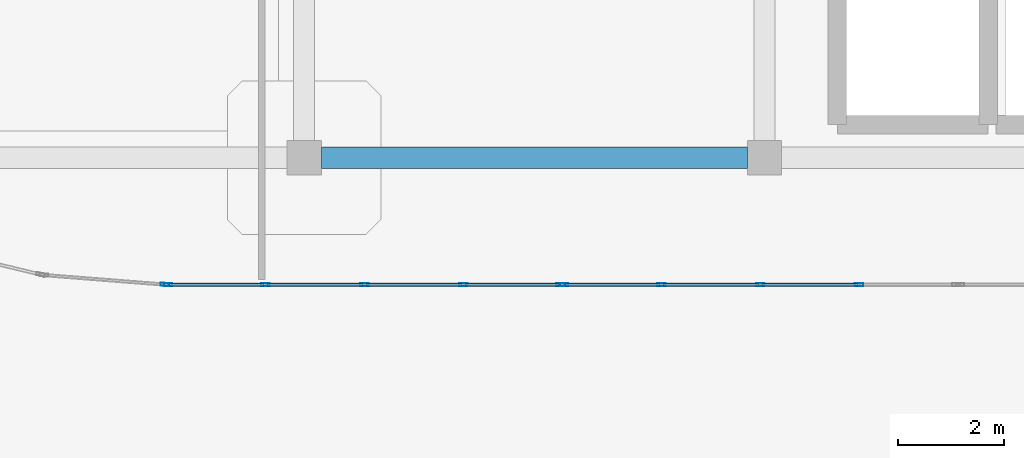
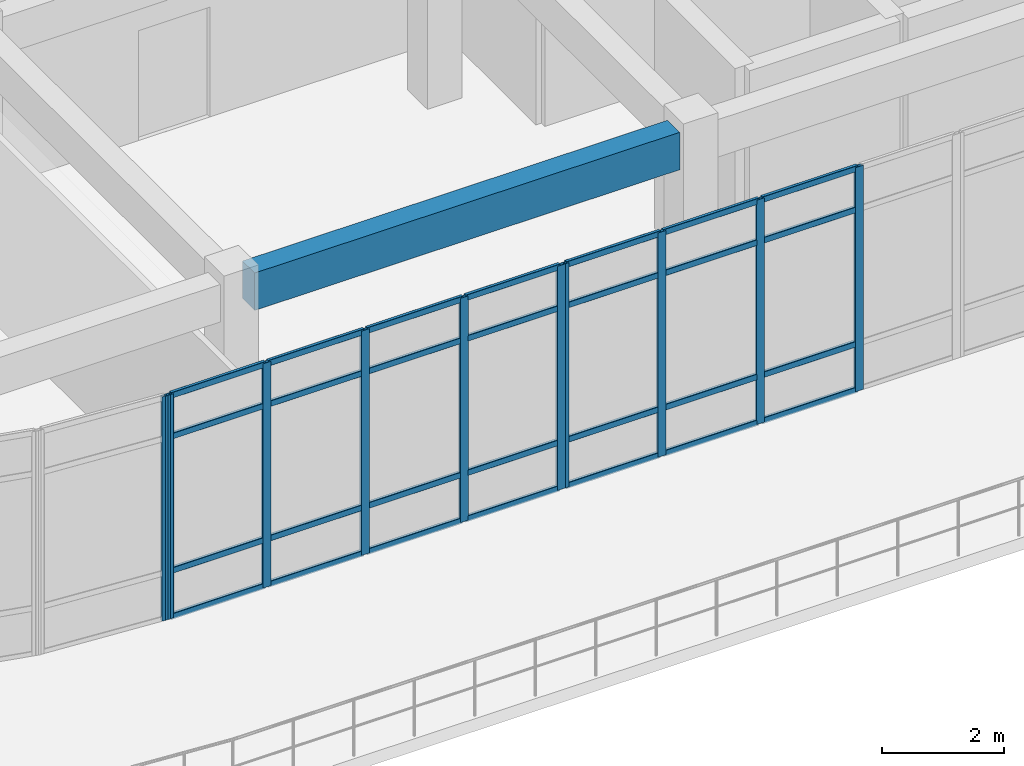
# One storey, part 12 of 41: 38 members, 1 beam, 3 elements without a shape of their own.
"""IFC4 building model written with IfcOpenShell, lengths in metres."""

from ifc_helpers import new_model, si_unit, derived_unit, direction, frame, origin, origin_2d, place, context, subcontext, project, spatial, rectangle, hollow_rectangle, extrude, material, layer, layer_set, material_profile, profile_set, type_object, element, aggregate, save


model = new_model("IFC4")

# Units and contexts
model_context = context("Model", 3, precision=1e-05, world=origin(), true_north=direction((0.0, 1.0)))
body_context = subcontext(model_context, "Body", "Model", "MODEL_VIEW")
ifc_project = project(units=[si_unit("LENGTHUNIT", "METRE"), si_unit("AREAUNIT", "SQUARE_METRE"), si_unit("VOLUMEUNIT", "CUBIC_METRE"), si_unit("PLANEANGLEUNIT", "RADIAN"), si_unit("MASSUNIT", "GRAM", prefix="KILO"), derived_unit("THERMALTRANSMITTANCEUNIT", [(si_unit("MASSUNIT", "GRAM", prefix="KILO"), 1), (si_unit("TIMEUNIT", "SECOND"), -3), (si_unit("THERMODYNAMICTEMPERATUREUNIT", "KELVIN"), -1)])], contexts=[model_context])

# Site, building, storey
site_placement = place(None, origin())
site = spatial("IfcSite", under=ifc_project, at=site_placement, CompositionType="ELEMENT")
building_placement = place(site_placement, origin())
building = spatial("IfcBuilding", under=site, at=building_placement, Name="Qinzheling Arcade Emporium", CompositionType="ELEMENT")
storey_placement = place(building_placement, frame((0.0, 0.0, 36.300048828125)))
storey = spatial("IfcBuildingStorey", under=building, at=storey_placement, Name="L08", CompositionType="ELEMENT", Elevation=36.300048828125)

# Curtain wall, members
ifc_material_1 = material(Name="Anodised aluminium and solar-control double glazing", Category="aluminium")
ifc_layer = layer(ifc_material_1, 0.159912109375, Name="Anodised aluminium and solar-control double glazing", Category="aluminium")
ifc_layer_set = layer_set([ifc_layer], Name="Anodised aluminium and solar-control double glazing")
curtain_wall_type = type_object("IfcCurtainWallType", Name="Arcade Portal Glazed Curtain Wall", PredefinedType="NOTDEFINED", material=ifc_layer_set)
curtain_wall_1_placement = place(storey_placement, origin())
curtain_wall_1 = element("IfcCurtainWall", 1, at=curtain_wall_1_placement, inside=storey, type_object=curtain_wall_type, Name="Curtain Wall CW-L08-451", PredefinedType="NOTDEFINED")
ifc_material_2 = material(Name="Anodised aluminium 6063-T6", Category="aluminium")
ifc_material_profile_1 = material_profile(ifc_material_2, hollow_rectangle(XDim=0.06005859375, YDim=0.159912109375, WallThickness=0.00390625, InnerFilletRadius=0.00390625, OuterFilletRadius=0.008056640625, at=origin_2d()), Name="RHS 160x60x4", Category="aluminium")
ifc_profile_set_1 = profile_set([ifc_material_profile_1], Name="Anodised aluminium 6063-T6")
member_type_1 = type_object("IfcMemberType", Name="Curtain Wall Mullion RHS160x60", PredefinedType="MULLION", material=ifc_profile_set_1)
member_1_placement = place(storey_placement, frame((45.2890625, 22.800048828125, 0.0), z_axis=(0.0, 0.0, 1.0), x_axis=(0.0, -1.0, 0.0)))
member_1 = element("IfcMember", 2, at=member_1_placement, type_object=member_type_1, Name="CW05 mullion 2", PredefinedType="MULLION", context=body_context, shape_type="SweptSolid", body=[
    extrude(hollow_rectangle(XDim=0.06005859375, YDim=0.159912109375, WallThickness=0.00390625, InnerFilletRadius=0.00390625, OuterFilletRadius=0.008056640625, at=origin_2d()), origin(), (0.0, 0.0, 1.0), 4.489990234375),
])
member_2_placement = place(storey_placement, frame((43.419921875, 22.800048828125, 0.0), z_axis=(0.0, 0.0, 1.0), x_axis=(0.0, -1.0, 0.0)))
member_2 = element("IfcMember", 3, at=member_2_placement, type_object=member_type_1, Name="CW05 mullion 3", PredefinedType="MULLION", context=body_context, shape_type="SweptSolid", body=[
    extrude(hollow_rectangle(XDim=0.06005859375, YDim=0.159912109375, WallThickness=0.00390625, InnerFilletRadius=0.00390625, OuterFilletRadius=0.008056640625, at=origin_2d()), origin(), (0.0, 0.0, 1.0), 4.489990234375),
])
member_3_placement = place(storey_placement, frame((41.551025390625, 22.800048828125, 0.0), z_axis=(0.0, 0.0, 1.0), x_axis=(0.0, -1.0, 0.0)))
member_3 = element("IfcMember", 4, at=member_3_placement, type_object=member_type_1, Name="CW05 mullion 4", PredefinedType="MULLION", context=body_context, shape_type="SweptSolid", body=[
    extrude(hollow_rectangle(XDim=0.06005859375, YDim=0.159912109375, WallThickness=0.00390625, InnerFilletRadius=0.00390625, OuterFilletRadius=0.008056640625, at=origin_2d()), origin(), (0.0, 0.0, 1.0), 4.489990234375),
])
member_4_placement = place(storey_placement, frame((39.7119140625, 22.800048828125, 0.0), z_axis=(0.0, 0.0, 1.0), x_axis=(0.0, -1.0, 0.0)))
member_4 = element("IfcMember", 5, at=member_4_placement, type_object=member_type_1, Name="CW05 mullion 5", PredefinedType="MULLION", context=body_context, shape_type="SweptSolid", body=[
    extrude(hollow_rectangle(XDim=0.06005859375, YDim=0.159912109375, WallThickness=0.00390625, InnerFilletRadius=0.00390625, OuterFilletRadius=0.008056640625, at=origin_2d()), origin(), (0.0, 0.0, 1.0), 4.489990234375),
])

curtain_wall_2_placement = place(storey_placement, origin())
curtain_wall_2 = element("IfcCurtainWall", 6, at=curtain_wall_2_placement, inside=storey, type_object=curtain_wall_type, Name="Curtain Wall CW-L08-452", PredefinedType="NOTDEFINED")
member_5_placement = place(storey_placement, frame((39.64794921875, 22.800048828125, 0.0), z_axis=(0.0, 0.0, 1.0), x_axis=(0.0, -1.0, 0.0)))
member_5 = element("IfcMember", 7, at=member_5_placement, type_object=member_type_1, Name="CW05 mullion 1", PredefinedType="MULLION", context=body_context, shape_type="SweptSolid", body=[
    extrude(hollow_rectangle(XDim=0.06005859375, YDim=0.159912109375, WallThickness=0.00390625, InnerFilletRadius=0.00390625, OuterFilletRadius=0.008056640625, at=origin_2d()), origin(), (0.0, 0.0, 1.0), 4.489990234375),
])
member_6_placement = place(storey_placement, frame((37.80859375, 22.800048828125, 0.0), z_axis=(0.0, 0.0, 1.0), x_axis=(0.0, -1.0, 0.0)))
member_6 = element("IfcMember", 8, at=member_6_placement, type_object=member_type_1, Name="CW05 mullion 2", PredefinedType="MULLION", context=body_context, shape_type="SweptSolid", body=[
    extrude(hollow_rectangle(XDim=0.06005859375, YDim=0.159912109375, WallThickness=0.00390625, InnerFilletRadius=0.00390625, OuterFilletRadius=0.008056640625, at=origin_2d()), origin(), (0.0, 0.0, 1.0), 4.489990234375),
])
member_7_placement = place(storey_placement, frame((35.93896484375, 22.800048828125, 0.0), z_axis=(0.0, 0.0, 1.0), x_axis=(0.0, -1.0, 0.0)))
member_7 = element("IfcMember", 9, at=member_7_placement, type_object=member_type_1, Name="CW05 mullion 3", PredefinedType="MULLION", context=body_context, shape_type="SweptSolid", body=[
    extrude(hollow_rectangle(XDim=0.06005859375, YDim=0.159912109375, WallThickness=0.00390625, InnerFilletRadius=0.00390625, OuterFilletRadius=0.008056640625, at=origin_2d()), origin(), (0.0, 0.0, 1.0), 4.489990234375),
])
member_8_placement = place(storey_placement, frame((34.069580078125, 22.800048828125, 0.0), z_axis=(0.0, 0.0, 1.0), x_axis=(0.0, -1.0, 0.0)))
member_8 = element("IfcMember", 10, at=member_8_placement, type_object=member_type_1, Name="CW05 mullion 4", PredefinedType="MULLION", context=body_context, shape_type="SweptSolid", body=[
    extrude(hollow_rectangle(XDim=0.06005859375, YDim=0.159912109375, WallThickness=0.00390625, InnerFilletRadius=0.00390625, OuterFilletRadius=0.008056640625, at=origin_2d()), origin(), (0.0, 0.0, 1.0), 4.489990234375),
])
member_9_placement = place(storey_placement, frame((32.22998046875, 22.800048828125, 0.0), z_axis=(0.0, 0.0, 1.0), x_axis=(0.0, -1.0, 0.0)))
member_9 = element("IfcMember", 11, at=member_9_placement, type_object=member_type_1, Name="CW05 mullion 5", PredefinedType="MULLION", context=body_context, shape_type="SweptSolid", body=[
    extrude(hollow_rectangle(XDim=0.06005859375, YDim=0.159912109375, WallThickness=0.00390625, InnerFilletRadius=0.00390625, OuterFilletRadius=0.008056640625, at=origin_2d()), origin(), (0.0, 0.0, 1.0), 4.489990234375),
])

# Curtain wall, member
curtain_wall_3_placement = place(storey_placement, origin())
curtain_wall_3 = element("IfcCurtainWall", 12, at=curtain_wall_3_placement, inside=storey, type_object=curtain_wall_type, Name="Curtain Wall CW-L08-453", PredefinedType="NOTDEFINED")
member_10_placement = place(storey_placement, frame((32.170166015625, 22.80224609375, 0.0), z_axis=(0.0, 0.0, 1.0), x_axis=(-0.078580290076, -0.996907788119, 0.0)))
member_10 = element("IfcMember", 13, at=member_10_placement, type_object=member_type_1, Name="CW05 mullion 1", PredefinedType="MULLION", context=body_context, shape_type="SweptSolid", body=[
    extrude(hollow_rectangle(XDim=0.06005859375, YDim=0.159912109375, WallThickness=0.00390625, InnerFilletRadius=0.00390625, OuterFilletRadius=0.008056640625, at=origin_2d()), origin(), (0.0, 0.0, 1.0), 4.489990234375),
])
aggregate(curtain_wall_3, [member_10])

# Member
ifc_material_profile_2 = material_profile(ifc_material_2, hollow_rectangle(XDim=0.06005859375, YDim=0.1201171875, WallThickness=0.00390625, InnerFilletRadius=0.00390625, OuterFilletRadius=0.008056640625, at=origin_2d()), Name="RHS 120x60x4", Category="aluminium")
ifc_profile_set_2 = profile_set([ifc_material_profile_2], Name="Anodised aluminium 6063-T6")
member_type_2 = type_object("IfcMemberType", Name="Curtain Wall Transom RHS120x60", PredefinedType="USERDEFINED", material=ifc_profile_set_2)
member_11_placement = place(storey_placement, frame((45.259033203125, 22.800048828125, 0.030029296875), z_axis=(-1.0, 0.0, 0.0), x_axis=(0.0, -1.0, 0.0)))
member_11 = element("IfcMember", 14, at=member_11_placement, type_object=member_type_2, Name="CW05 transom 2.1", ObjectType="TRANSOM", PredefinedType="USERDEFINED", context=body_context, shape_type="SweptSolid", body=[
    extrude(hollow_rectangle(XDim=0.06005859375, YDim=0.1201171875, WallThickness=0.00390625, InnerFilletRadius=0.00390625, OuterFilletRadius=0.008056640625, at=origin_2d()), origin(), (0.0, 0.0, 1.0), 1.80908203125),
])

member_12_placement = place(storey_placement, frame((45.259033203125, 22.800048828125, 0.949951171875), z_axis=(-1.0, 0.0, 0.0), x_axis=(0.0, -1.0, 0.0)))
member_12 = element("IfcMember", 15, at=member_12_placement, type_object=member_type_2, Name="CW05 transom 2.2", ObjectType="TRANSOM", PredefinedType="USERDEFINED", context=body_context, shape_type="SweptSolid", body=[
    extrude(hollow_rectangle(XDim=0.06005859375, YDim=0.1201171875, WallThickness=0.00390625, InnerFilletRadius=0.00390625, OuterFilletRadius=0.008056640625, at=origin_2d()), origin(), (0.0, 0.0, 1.0), 1.80908203125),
])

member_13_placement = place(storey_placement, frame((45.259033203125, 22.800048828125, 3.639892578125), z_axis=(-1.0, 0.0, 0.0), x_axis=(0.0, -1.0, 0.0)))
member_13 = element("IfcMember", 16, at=member_13_placement, type_object=member_type_2, Name="CW05 transom 2.3", ObjectType="TRANSOM", PredefinedType="USERDEFINED", context=body_context, shape_type="SweptSolid", body=[
    extrude(hollow_rectangle(XDim=0.06005859375, YDim=0.1201171875, WallThickness=0.00390625, InnerFilletRadius=0.00390625, OuterFilletRadius=0.008056640625, at=origin_2d()), origin(), (0.0, 0.0, 1.0), 1.80908203125),
])

member_14_placement = place(storey_placement, frame((45.259033203125, 22.800048828125, 4.4599609375), z_axis=(-1.0, 0.0, 0.0), x_axis=(0.0, -1.0, 0.0)))
member_14 = element("IfcMember", 17, at=member_14_placement, type_object=member_type_2, Name="CW05 transom 2.4", ObjectType="TRANSOM", PredefinedType="USERDEFINED", context=body_context, shape_type="SweptSolid", body=[
    extrude(hollow_rectangle(XDim=0.06005859375, YDim=0.1201171875, WallThickness=0.00390625, InnerFilletRadius=0.00390625, OuterFilletRadius=0.008056640625, at=origin_2d()), origin(), (0.0, 0.0, 1.0), 1.80908203125),
])

member_15_placement = place(storey_placement, frame((43.389892578125, 22.800048828125, 0.030029296875), z_axis=(-1.0, 0.0, 0.0), x_axis=(0.0, -1.0, 0.0)))
member_15 = element("IfcMember", 18, at=member_15_placement, type_object=member_type_2, Name="CW05 transom 3.1", ObjectType="TRANSOM", PredefinedType="USERDEFINED", context=body_context, shape_type="SweptSolid", body=[
    extrude(hollow_rectangle(XDim=0.06005859375, YDim=0.1201171875, WallThickness=0.00390625, InnerFilletRadius=0.00390625, OuterFilletRadius=0.008056640625, at=origin_2d()), origin(), (0.0, 0.0, 1.0), 1.808837890625),
])

member_16_placement = place(storey_placement, frame((43.389892578125, 22.800048828125, 0.949951171875), z_axis=(-1.0, 0.0, 0.0), x_axis=(0.0, -1.0, 0.0)))
member_16 = element("IfcMember", 19, at=member_16_placement, type_object=member_type_2, Name="CW05 transom 3.2", ObjectType="TRANSOM", PredefinedType="USERDEFINED", context=body_context, shape_type="SweptSolid", body=[
    extrude(hollow_rectangle(XDim=0.06005859375, YDim=0.1201171875, WallThickness=0.00390625, InnerFilletRadius=0.00390625, OuterFilletRadius=0.008056640625, at=origin_2d()), origin(), (0.0, 0.0, 1.0), 1.808837890625),
])

member_17_placement = place(storey_placement, frame((43.389892578125, 22.800048828125, 3.639892578125), z_axis=(-1.0, 0.0, 0.0), x_axis=(0.0, -1.0, 0.0)))
member_17 = element("IfcMember", 20, at=member_17_placement, type_object=member_type_2, Name="CW05 transom 3.3", ObjectType="TRANSOM", PredefinedType="USERDEFINED", context=body_context, shape_type="SweptSolid", body=[
    extrude(hollow_rectangle(XDim=0.06005859375, YDim=0.1201171875, WallThickness=0.00390625, InnerFilletRadius=0.00390625, OuterFilletRadius=0.008056640625, at=origin_2d()), origin(), (0.0, 0.0, 1.0), 1.808837890625),
])

member_18_placement = place(storey_placement, frame((43.389892578125, 22.800048828125, 4.4599609375), z_axis=(-1.0, 0.0, 0.0), x_axis=(0.0, -1.0, 0.0)))
member_18 = element("IfcMember", 21, at=member_18_placement, type_object=member_type_2, Name="CW05 transom 3.4", ObjectType="TRANSOM", PredefinedType="USERDEFINED", context=body_context, shape_type="SweptSolid", body=[
    extrude(hollow_rectangle(XDim=0.06005859375, YDim=0.1201171875, WallThickness=0.00390625, InnerFilletRadius=0.00390625, OuterFilletRadius=0.008056640625, at=origin_2d()), origin(), (0.0, 0.0, 1.0), 1.808837890625),
])

member_19_placement = place(storey_placement, frame((41.52099609375, 22.800048828125, 0.030029296875), z_axis=(-1.0, 0.0, 0.0), x_axis=(0.0, -1.0, 0.0)))
member_19 = element("IfcMember", 22, at=member_19_placement, type_object=member_type_2, Name="CW05 transom 4.1", ObjectType="TRANSOM", PredefinedType="USERDEFINED", context=body_context, shape_type="SweptSolid", body=[
    extrude(hollow_rectangle(XDim=0.06005859375, YDim=0.1201171875, WallThickness=0.00390625, InnerFilletRadius=0.00390625, OuterFilletRadius=0.008056640625, at=origin_2d()), origin(), (0.0, 0.0, 1.0), 1.779052734375),
])

member_20_placement = place(storey_placement, frame((41.52099609375, 22.800048828125, 0.949951171875), z_axis=(-1.0, 0.0, 0.0), x_axis=(0.0, -1.0, 0.0)))
member_20 = element("IfcMember", 23, at=member_20_placement, type_object=member_type_2, Name="CW05 transom 4.2", ObjectType="TRANSOM", PredefinedType="USERDEFINED", context=body_context, shape_type="SweptSolid", body=[
    extrude(hollow_rectangle(XDim=0.06005859375, YDim=0.1201171875, WallThickness=0.00390625, InnerFilletRadius=0.00390625, OuterFilletRadius=0.008056640625, at=origin_2d()), origin(), (0.0, 0.0, 1.0), 1.779052734375),
])

member_21_placement = place(storey_placement, frame((41.52099609375, 22.800048828125, 3.639892578125), z_axis=(-1.0, 0.0, 0.0), x_axis=(0.0, -1.0, 0.0)))
member_21 = element("IfcMember", 24, at=member_21_placement, type_object=member_type_2, Name="CW05 transom 4.3", ObjectType="TRANSOM", PredefinedType="USERDEFINED", context=body_context, shape_type="SweptSolid", body=[
    extrude(hollow_rectangle(XDim=0.06005859375, YDim=0.1201171875, WallThickness=0.00390625, InnerFilletRadius=0.00390625, OuterFilletRadius=0.008056640625, at=origin_2d()), origin(), (0.0, 0.0, 1.0), 1.779052734375),
])

member_22_placement = place(storey_placement, frame((41.52099609375, 22.800048828125, 4.4599609375), z_axis=(-1.0, 0.0, 0.0), x_axis=(0.0, -1.0, 0.0)))
member_22 = element("IfcMember", 25, at=member_22_placement, type_object=member_type_2, Name="CW05 transom 4.4", ObjectType="TRANSOM", PredefinedType="USERDEFINED", context=body_context, shape_type="SweptSolid", body=[
    extrude(hollow_rectangle(XDim=0.06005859375, YDim=0.1201171875, WallThickness=0.00390625, InnerFilletRadius=0.00390625, OuterFilletRadius=0.008056640625, at=origin_2d()), origin(), (0.0, 0.0, 1.0), 1.779052734375),
])

aggregate(curtain_wall_1, [member_1, member_2, member_3, member_4, member_11, member_12, member_13, member_14, member_15, member_16, member_17, member_18, member_19, member_20, member_21, member_22])

member_23_placement = place(storey_placement, frame((39.617919921875, 22.800048828125, 0.030029296875), z_axis=(-1.0, 0.0, 0.0), x_axis=(0.0, -1.0, 0.0)))
member_23 = element("IfcMember", 26, at=member_23_placement, type_object=member_type_2, Name="CW05 transom 1.1", ObjectType="TRANSOM", PredefinedType="USERDEFINED", context=body_context, shape_type="SweptSolid", body=[
    extrude(hollow_rectangle(XDim=0.06005859375, YDim=0.1201171875, WallThickness=0.00390625, InnerFilletRadius=0.00390625, OuterFilletRadius=0.008056640625, at=origin_2d()), origin(), (0.0, 0.0, 1.0), 1.779541015625),
])

member_24_placement = place(storey_placement, frame((39.617919921875, 22.800048828125, 0.949951171875), z_axis=(-1.0, 0.0, 0.0), x_axis=(0.0, -1.0, 0.0)))
member_24 = element("IfcMember", 27, at=member_24_placement, type_object=member_type_2, Name="CW05 transom 1.2", ObjectType="TRANSOM", PredefinedType="USERDEFINED", context=body_context, shape_type="SweptSolid", body=[
    extrude(hollow_rectangle(XDim=0.06005859375, YDim=0.1201171875, WallThickness=0.00390625, InnerFilletRadius=0.00390625, OuterFilletRadius=0.008056640625, at=origin_2d()), origin(), (0.0, 0.0, 1.0), 1.779541015625),
])

member_25_placement = place(storey_placement, frame((39.617919921875, 22.800048828125, 3.639892578125), z_axis=(-1.0, 0.0, 0.0), x_axis=(0.0, -1.0, 0.0)))
member_25 = element("IfcMember", 28, at=member_25_placement, type_object=member_type_2, Name="CW05 transom 1.3", ObjectType="TRANSOM", PredefinedType="USERDEFINED", context=body_context, shape_type="SweptSolid", body=[
    extrude(hollow_rectangle(XDim=0.06005859375, YDim=0.1201171875, WallThickness=0.00390625, InnerFilletRadius=0.00390625, OuterFilletRadius=0.008056640625, at=origin_2d()), origin(), (0.0, 0.0, 1.0), 1.779541015625),
])

member_26_placement = place(storey_placement, frame((39.617919921875, 22.800048828125, 4.4599609375), z_axis=(-1.0, 0.0, 0.0), x_axis=(0.0, -1.0, 0.0)))
member_26 = element("IfcMember", 29, at=member_26_placement, type_object=member_type_2, Name="CW05 transom 1.4", ObjectType="TRANSOM", PredefinedType="USERDEFINED", context=body_context, shape_type="SweptSolid", body=[
    extrude(hollow_rectangle(XDim=0.06005859375, YDim=0.1201171875, WallThickness=0.00390625, InnerFilletRadius=0.00390625, OuterFilletRadius=0.008056640625, at=origin_2d()), origin(), (0.0, 0.0, 1.0), 1.779541015625),
])

member_27_placement = place(storey_placement, frame((37.778564453125, 22.800048828125, 0.030029296875), z_axis=(-1.0, 0.0, 0.0), x_axis=(0.0, -1.0, 0.0)))
member_27 = element("IfcMember", 30, at=member_27_placement, type_object=member_type_2, Name="CW05 transom 2.1", ObjectType="TRANSOM", PredefinedType="USERDEFINED", context=body_context, shape_type="SweptSolid", body=[
    extrude(hollow_rectangle(XDim=0.06005859375, YDim=0.1201171875, WallThickness=0.00390625, InnerFilletRadius=0.00390625, OuterFilletRadius=0.008056640625, at=origin_2d()), origin(), (0.0, 0.0, 1.0), 1.8095703125),
])

member_28_placement = place(storey_placement, frame((37.778564453125, 22.800048828125, 0.949951171875), z_axis=(-1.0, 0.0, 0.0), x_axis=(0.0, -1.0, 0.0)))
member_28 = element("IfcMember", 31, at=member_28_placement, type_object=member_type_2, Name="CW05 transom 2.2", ObjectType="TRANSOM", PredefinedType="USERDEFINED", context=body_context, shape_type="SweptSolid", body=[
    extrude(hollow_rectangle(XDim=0.06005859375, YDim=0.1201171875, WallThickness=0.00390625, InnerFilletRadius=0.00390625, OuterFilletRadius=0.008056640625, at=origin_2d()), origin(), (0.0, 0.0, 1.0), 1.8095703125),
])

member_29_placement = place(storey_placement, frame((37.778564453125, 22.800048828125, 3.639892578125), z_axis=(-1.0, 0.0, 0.0), x_axis=(0.0, -1.0, 0.0)))
member_29 = element("IfcMember", 32, at=member_29_placement, type_object=member_type_2, Name="CW05 transom 2.3", ObjectType="TRANSOM", PredefinedType="USERDEFINED", context=body_context, shape_type="SweptSolid", body=[
    extrude(hollow_rectangle(XDim=0.06005859375, YDim=0.1201171875, WallThickness=0.00390625, InnerFilletRadius=0.00390625, OuterFilletRadius=0.008056640625, at=origin_2d()), origin(), (0.0, 0.0, 1.0), 1.8095703125),
])

member_30_placement = place(storey_placement, frame((37.778564453125, 22.800048828125, 4.4599609375), z_axis=(-1.0, 0.0, 0.0), x_axis=(0.0, -1.0, 0.0)))
member_30 = element("IfcMember", 33, at=member_30_placement, type_object=member_type_2, Name="CW05 transom 2.4", ObjectType="TRANSOM", PredefinedType="USERDEFINED", context=body_context, shape_type="SweptSolid", body=[
    extrude(hollow_rectangle(XDim=0.06005859375, YDim=0.1201171875, WallThickness=0.00390625, InnerFilletRadius=0.00390625, OuterFilletRadius=0.008056640625, at=origin_2d()), origin(), (0.0, 0.0, 1.0), 1.8095703125),
])

member_31_placement = place(storey_placement, frame((35.908935546875, 22.800048828125, 0.030029296875), z_axis=(-1.0, 0.0, 0.0), x_axis=(0.0, -1.0, 0.0)))
member_31 = element("IfcMember", 34, at=member_31_placement, type_object=member_type_2, Name="CW05 transom 3.1", ObjectType="TRANSOM", PredefinedType="USERDEFINED", context=body_context, shape_type="SweptSolid", body=[
    extrude(hollow_rectangle(XDim=0.06005859375, YDim=0.1201171875, WallThickness=0.00390625, InnerFilletRadius=0.00390625, OuterFilletRadius=0.008056640625, at=origin_2d()), origin(), (0.0, 0.0, 1.0), 1.809326171875),
])

member_32_placement = place(storey_placement, frame((35.908935546875, 22.800048828125, 0.949951171875), z_axis=(-1.0, 0.0, 0.0), x_axis=(0.0, -1.0, 0.0)))
member_32 = element("IfcMember", 35, at=member_32_placement, type_object=member_type_2, Name="CW05 transom 3.2", ObjectType="TRANSOM", PredefinedType="USERDEFINED", context=body_context, shape_type="SweptSolid", body=[
    extrude(hollow_rectangle(XDim=0.06005859375, YDim=0.1201171875, WallThickness=0.00390625, InnerFilletRadius=0.00390625, OuterFilletRadius=0.008056640625, at=origin_2d()), origin(), (0.0, 0.0, 1.0), 1.809326171875),
])

member_33_placement = place(storey_placement, frame((35.908935546875, 22.800048828125, 3.639892578125), z_axis=(-1.0, 0.0, 0.0), x_axis=(0.0, -1.0, 0.0)))
member_33 = element("IfcMember", 36, at=member_33_placement, type_object=member_type_2, Name="CW05 transom 3.3", ObjectType="TRANSOM", PredefinedType="USERDEFINED", context=body_context, shape_type="SweptSolid", body=[
    extrude(hollow_rectangle(XDim=0.06005859375, YDim=0.1201171875, WallThickness=0.00390625, InnerFilletRadius=0.00390625, OuterFilletRadius=0.008056640625, at=origin_2d()), origin(), (0.0, 0.0, 1.0), 1.809326171875),
])

member_34_placement = place(storey_placement, frame((35.908935546875, 22.800048828125, 4.4599609375), z_axis=(-1.0, 0.0, 0.0), x_axis=(0.0, -1.0, 0.0)))
member_34 = element("IfcMember", 37, at=member_34_placement, type_object=member_type_2, Name="CW05 transom 3.4", ObjectType="TRANSOM", PredefinedType="USERDEFINED", context=body_context, shape_type="SweptSolid", body=[
    extrude(hollow_rectangle(XDim=0.06005859375, YDim=0.1201171875, WallThickness=0.00390625, InnerFilletRadius=0.00390625, OuterFilletRadius=0.008056640625, at=origin_2d()), origin(), (0.0, 0.0, 1.0), 1.809326171875),
])

member_35_placement = place(storey_placement, frame((34.03955078125, 22.800048828125, 0.030029296875), z_axis=(-1.0, 0.0, 0.0), x_axis=(0.0, -1.0, 0.0)))
member_35 = element("IfcMember", 38, at=member_35_placement, type_object=member_type_2, Name="CW05 transom 4.1", ObjectType="TRANSOM", PredefinedType="USERDEFINED", context=body_context, shape_type="SweptSolid", body=[
    extrude(hollow_rectangle(XDim=0.06005859375, YDim=0.1201171875, WallThickness=0.00390625, InnerFilletRadius=0.00390625, OuterFilletRadius=0.008056640625, at=origin_2d()), origin(), (0.0, 0.0, 1.0), 1.779541015625),
])

member_36_placement = place(storey_placement, frame((34.03955078125, 22.800048828125, 0.949951171875), z_axis=(-1.0, 0.0, 0.0), x_axis=(0.0, -1.0, 0.0)))
member_36 = element("IfcMember", 39, at=member_36_placement, type_object=member_type_2, Name="CW05 transom 4.2", ObjectType="TRANSOM", PredefinedType="USERDEFINED", context=body_context, shape_type="SweptSolid", body=[
    extrude(hollow_rectangle(XDim=0.06005859375, YDim=0.1201171875, WallThickness=0.00390625, InnerFilletRadius=0.00390625, OuterFilletRadius=0.008056640625, at=origin_2d()), origin(), (0.0, 0.0, 1.0), 1.779541015625),
])

member_37_placement = place(storey_placement, frame((34.03955078125, 22.800048828125, 3.639892578125), z_axis=(-1.0, 0.0, 0.0), x_axis=(0.0, -1.0, 0.0)))
member_37 = element("IfcMember", 40, at=member_37_placement, type_object=member_type_2, Name="CW05 transom 4.3", ObjectType="TRANSOM", PredefinedType="USERDEFINED", context=body_context, shape_type="SweptSolid", body=[
    extrude(hollow_rectangle(XDim=0.06005859375, YDim=0.1201171875, WallThickness=0.00390625, InnerFilletRadius=0.00390625, OuterFilletRadius=0.008056640625, at=origin_2d()), origin(), (0.0, 0.0, 1.0), 1.779541015625),
])

member_38_placement = place(storey_placement, frame((34.03955078125, 22.800048828125, 4.4599609375), z_axis=(-1.0, 0.0, 0.0), x_axis=(0.0, -1.0, 0.0)))
member_38 = element("IfcMember", 41, at=member_38_placement, type_object=member_type_2, Name="CW05 transom 4.4", ObjectType="TRANSOM", PredefinedType="USERDEFINED", context=body_context, shape_type="SweptSolid", body=[
    extrude(hollow_rectangle(XDim=0.06005859375, YDim=0.1201171875, WallThickness=0.00390625, InnerFilletRadius=0.00390625, OuterFilletRadius=0.008056640625, at=origin_2d()), origin(), (0.0, 0.0, 1.0), 1.779541015625),
])

aggregate(curtain_wall_2, [member_5, member_6, member_7, member_8, member_9, member_23, member_24, member_25, member_26, member_27, member_28, member_29, member_30, member_31, member_32, member_33, member_34, member_35, member_36, member_37, member_38])

# Beam
ifc_material_3 = material(Name="Concrete C40", Category="concrete")
ifc_material_profile_3 = material_profile(ifc_material_3, rectangle(XDim=0.39990234375, YDim=0.75, at=origin_2d()), Name="RC 400x750", Category="concrete")
ifc_profile_set_3 = profile_set([ifc_material_profile_3], Name="Concrete C40")
beam_type = type_object("IfcBeamType", Name="RC Interior Tie Beam 400x750 C40", PredefinedType="BEAM", material=ifc_profile_set_3)
beam_placement = place(storey_placement, frame((35.125, 25.199951171875, 4.18505859375), z_axis=(1.0, 0.0, 0.0), x_axis=(0.0, 1.0, 0.0)))
element("IfcBeam", 42, at=beam_placement, inside=storey, type_object=beam_type, Name="Beam BM-L08-X-D-5", PredefinedType="BEAM", context=body_context, shape_type="SweptSolid", body=[
    extrude(rectangle(XDim=0.39990234375, YDim=0.75, at=origin_2d()), origin(), (0.0, 0.0, 1.0), 8.050048828125),
])

save(model, "model.ifc")
